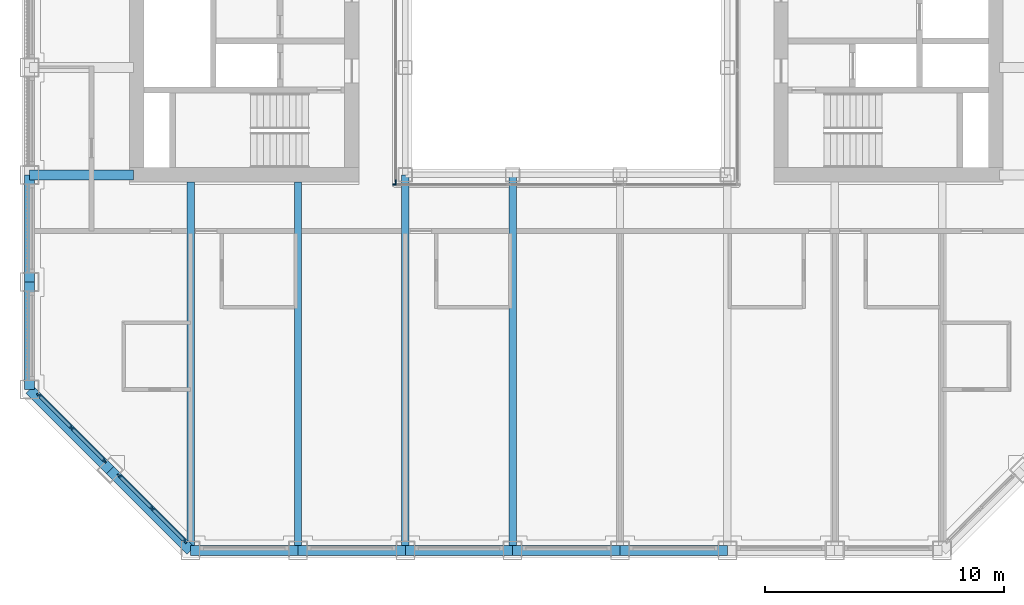
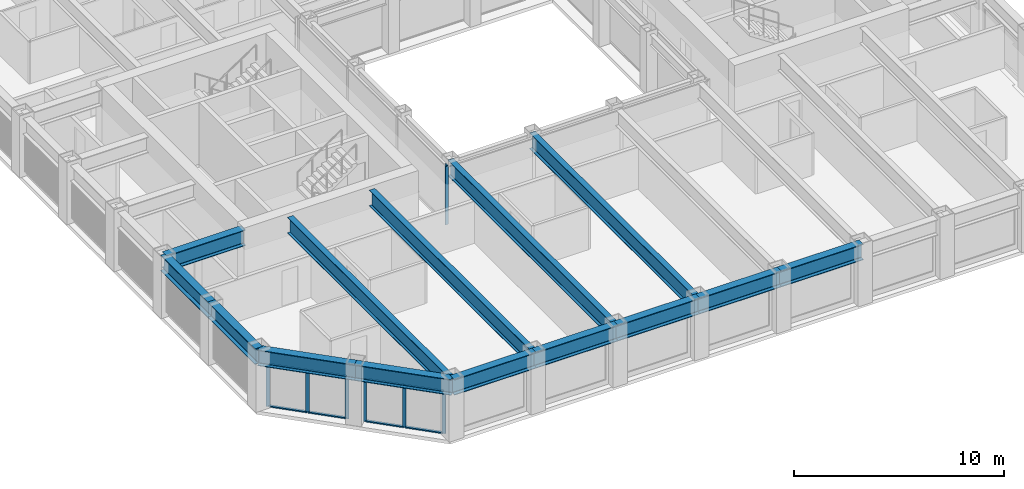
# One storey, part 2 of 17: 16 members, 14 beams, 4 elements without a shape of their own.
"""IFC4 building model written with IfcOpenShell, lengths in metres."""

from ifc_helpers import new_model, si_unit, direction, frame, origin, origin_2d, place, context, subcontext, project, spatial, rectangle, i_section, extrude, material, material_profile, profile_set, type_object, element, aggregate, save


model = new_model("IFC4")

# Units and contexts
model_context = context("Model", 3, precision=1e-05, world=origin(), true_north=direction((0.0, 1.0)))
body_context = subcontext(model_context, "Body", "Model", "MODEL_VIEW")
ifc_project = project(units=[si_unit("LENGTHUNIT", "METRE"), si_unit("AREAUNIT", "SQUARE_METRE"), si_unit("VOLUMEUNIT", "CUBIC_METRE"), si_unit("PLANEANGLEUNIT", "RADIAN"), si_unit("MASSUNIT", "GRAM", prefix="KILO")], contexts=[model_context])

# Site, building, storey
site_placement = place(None, origin())
site = spatial("IfcSite", under=ifc_project, at=site_placement, CompositionType="ELEMENT")
building_placement = place(site_placement, origin())
building = spatial("IfcBuilding", under=site, at=building_placement, Name="Msasa Ring Tower", CompositionType="ELEMENT")
storey_placement = place(building_placement, frame((0.0, 0.0, 179.60009765625)))
storey = spatial("IfcBuildingStorey", under=building, at=storey_placement, Name="L47", CompositionType="ELEMENT", Elevation=179.60009765625)

# Curtain wall, members
ifc_material_1 = material(Name="Aluminium curtain wall with clear glass", Category="aluminium")
curtain_wall_type_1 = type_object("IfcCurtainWallType", Name="CW-C CHAMFER CORNER CURTAIN WALL", PredefinedType="NOTDEFINED", material=ifc_material_1)
curtain_wall_1_placement = place(storey_placement, origin())
curtain_wall_1 = element("IfcCurtainWall", 1, at=curtain_wall_1_placement, inside=storey, type_object=curtain_wall_type_1, Name="Chamfer corner curtain wall SW L47", PredefinedType="NOTDEFINED")
ifc_material_2 = material(Name="Aluminium mullion", Category="aluminium")
ifc_material_profile_1 = material_profile(ifc_material_2, rectangle(XDim=0.06494140625, YDim=0.179931640625, at=origin_2d()), Name="AL 65x180")
ifc_profile_set_1 = profile_set([ifc_material_profile_1], Name="Aluminium mullion")
member_type_1 = type_object("IfcMemberType", Name="CW-C MULLION 65x180", PredefinedType="MULLION", material=ifc_profile_set_1)
member_1_placement = place(storey_placement, frame((-22.119873046875, -15.98876953125, 0.0), z_axis=(0.0, 0.0, 1.0), x_axis=(0.707106781187, 0.707106781187, 0.0)))
member_1 = element("IfcMember", 2, at=member_1_placement, type_object=member_type_1, Name="CW-C mullion 1", PredefinedType="MULLION", context=body_context, shape_type="SweptSolid", body=[
    extrude(rectangle(XDim=0.06494140625, YDim=0.179931640625, at=origin_2d()), origin(), (0.0, 0.0, 1.0), 2.47900390625),
])
member_2_placement = place(storey_placement, frame((-20.74169921875, -17.36669921875, 0.0), z_axis=(0.0, 0.0, 1.0), x_axis=(0.707106781187, 0.707106781187, 0.0)))
member_2 = element("IfcMember", 3, at=member_2_placement, type_object=member_type_1, Name="CW-C mullion 2", PredefinedType="MULLION", context=body_context, shape_type="SweptSolid", body=[
    extrude(rectangle(XDim=0.06494140625, YDim=0.179931640625, at=origin_2d()), origin(), (0.0, 0.0, 1.0), 2.47900390625),
])
member_3_placement = place(storey_placement, frame((-19.36376953125, -18.744873046875, 0.0), z_axis=(0.0, 0.0, 1.0), x_axis=(0.707106781187, 0.707106781187, 0.0)))
member_3 = element("IfcMember", 4, at=member_3_placement, type_object=member_type_1, Name="CW-C mullion 3", PredefinedType="MULLION", context=body_context, shape_type="SweptSolid", body=[
    extrude(rectangle(XDim=0.06494140625, YDim=0.179931640625, at=origin_2d()), origin(), (0.0, 0.0, 1.0), 2.47900390625),
])

curtain_wall_2_placement = place(storey_placement, origin())
curtain_wall_2 = element("IfcCurtainWall", 5, at=curtain_wall_2_placement, inside=storey, type_object=curtain_wall_type_1, Name="Chamfer corner curtain wall SW L47", PredefinedType="NOTDEFINED")
member_4_placement = place(storey_placement, frame((-18.744873046875, -19.36376953125, 0.0), z_axis=(0.0, 0.0, 1.0), x_axis=(0.707106781187, 0.707106781187, 0.0)))
member_4 = element("IfcMember", 6, at=member_4_placement, type_object=member_type_1, Name="CW-C mullion 1", PredefinedType="MULLION", context=body_context, shape_type="SweptSolid", body=[
    extrude(rectangle(XDim=0.06494140625, YDim=0.179931640625, at=origin_2d()), origin(), (0.0, 0.0, 1.0), 2.47900390625),
])
member_5_placement = place(storey_placement, frame((-17.36669921875, -20.74169921875, 0.0), z_axis=(0.0, 0.0, 1.0), x_axis=(0.707106781187, 0.707106781187, 0.0)))
member_5 = element("IfcMember", 7, at=member_5_placement, type_object=member_type_1, Name="CW-C mullion 2", PredefinedType="MULLION", context=body_context, shape_type="SweptSolid", body=[
    extrude(rectangle(XDim=0.06494140625, YDim=0.179931640625, at=origin_2d()), origin(), (0.0, 0.0, 1.0), 2.47900390625),
])
member_6_placement = place(storey_placement, frame((-15.98876953125, -22.119873046875, 0.0), z_axis=(0.0, 0.0, 1.0), x_axis=(0.707106781187, 0.707106781187, 0.0)))
member_6 = element("IfcMember", 8, at=member_6_placement, type_object=member_type_1, Name="CW-C mullion 3", PredefinedType="MULLION", context=body_context, shape_type="SweptSolid", body=[
    extrude(rectangle(XDim=0.06494140625, YDim=0.179931640625, at=origin_2d()), origin(), (0.0, 0.0, 1.0), 2.47900390625),
])

# Member
ifc_material_3 = material(Name="Aluminium transom", Category="aluminium")
ifc_material_profile_2 = material_profile(ifc_material_3, rectangle(XDim=0.139892578125, YDim=0.06494140625, at=origin_2d()), Name="AL 65x140")
ifc_profile_set_2 = profile_set([ifc_material_profile_2], Name="Aluminium transom")
member_type_2 = type_object("IfcMemberType", Name="CW-C TRANSOM 65x140", PredefinedType="USERDEFINED", material=ifc_profile_set_2)
member_7_placement = place(storey_placement, frame((-22.096923828125, -16.01171875, 0.032470703125), z_axis=(0.707106781187, -0.707106781187, 0.0), x_axis=(0.707106781187, 0.707106781187, 0.0)))
member_7 = element("IfcMember", 9, at=member_7_placement, type_object=member_type_2, Name="CW-C transom 1.1", ObjectType="TRANSOM", PredefinedType="USERDEFINED", context=body_context, shape_type="SweptSolid", body=[
    extrude(rectangle(XDim=0.139892578125, YDim=0.06494140625, at=origin_2d()), origin(), (0.0, 0.0, 1.0), 1.8837890625),
])

member_8_placement = place(storey_placement, frame((-22.096923828125, -16.01171875, 2.4462890625), z_axis=(0.707106781187, -0.707106781187, 0.0), x_axis=(0.707106781187, 0.707106781187, 0.0)))
member_8 = element("IfcMember", 10, at=member_8_placement, type_object=member_type_2, Name="CW-C transom 1.2", ObjectType="TRANSOM", PredefinedType="USERDEFINED", context=body_context, shape_type="SweptSolid", body=[
    extrude(rectangle(XDim=0.139892578125, YDim=0.06494140625, at=origin_2d()), origin(), (0.0, 0.0, 1.0), 1.8837890625),
])

member_9_placement = place(storey_placement, frame((-20.71875, -17.389892578125, 0.032470703125), z_axis=(0.707106781187, -0.707106781187, 0.0), x_axis=(0.707106781187, 0.707106781187, 0.0)))
member_9 = element("IfcMember", 11, at=member_9_placement, type_object=member_type_2, Name="CW-C transom 2.1", ObjectType="TRANSOM", PredefinedType="USERDEFINED", context=body_context, shape_type="SweptSolid", body=[
    extrude(rectangle(XDim=0.139892578125, YDim=0.06494140625, at=origin_2d()), origin(), (0.0, 0.0, 1.0), 1.8837890625),
])

member_10_placement = place(storey_placement, frame((-20.71875, -17.389892578125, 2.4462890625), z_axis=(0.707106781187, -0.707106781187, 0.0), x_axis=(0.707106781187, 0.707106781187, 0.0)))
member_10 = element("IfcMember", 12, at=member_10_placement, type_object=member_type_2, Name="CW-C transom 2.2", ObjectType="TRANSOM", PredefinedType="USERDEFINED", context=body_context, shape_type="SweptSolid", body=[
    extrude(rectangle(XDim=0.139892578125, YDim=0.06494140625, at=origin_2d()), origin(), (0.0, 0.0, 1.0), 1.8837890625),
])

aggregate(curtain_wall_1, [member_1, member_2, member_3, member_7, member_8, member_9, member_10])

member_11_placement = place(storey_placement, frame((-18.721923828125, -19.38671875, 0.032470703125), z_axis=(0.707106781187, -0.707106781187, 0.0), x_axis=(0.707106781187, 0.707106781187, 0.0)))
member_11 = element("IfcMember", 13, at=member_11_placement, type_object=member_type_2, Name="CW-C transom 1.1", ObjectType="TRANSOM", PredefinedType="USERDEFINED", context=body_context, shape_type="SweptSolid", body=[
    extrude(rectangle(XDim=0.139892578125, YDim=0.06494140625, at=origin_2d()), origin(), (0.0, 0.0, 1.0), 1.8837890625),
])

member_12_placement = place(storey_placement, frame((-18.721923828125, -19.38671875, 2.4462890625), z_axis=(0.707106781187, -0.707106781187, 0.0), x_axis=(0.707106781187, 0.707106781187, 0.0)))
member_12 = element("IfcMember", 14, at=member_12_placement, type_object=member_type_2, Name="CW-C transom 1.2", ObjectType="TRANSOM", PredefinedType="USERDEFINED", context=body_context, shape_type="SweptSolid", body=[
    extrude(rectangle(XDim=0.139892578125, YDim=0.06494140625, at=origin_2d()), origin(), (0.0, 0.0, 1.0), 1.8837890625),
])

member_13_placement = place(storey_placement, frame((-17.34375, -20.764892578125, 0.032470703125), z_axis=(0.707106781187, -0.707106781187, 0.0), x_axis=(0.707106781187, 0.707106781187, 0.0)))
member_13 = element("IfcMember", 15, at=member_13_placement, type_object=member_type_2, Name="CW-C transom 2.1", ObjectType="TRANSOM", PredefinedType="USERDEFINED", context=body_context, shape_type="SweptSolid", body=[
    extrude(rectangle(XDim=0.139892578125, YDim=0.06494140625, at=origin_2d()), origin(), (0.0, 0.0, 1.0), 1.8837890625),
])

member_14_placement = place(storey_placement, frame((-17.34375, -20.764892578125, 2.4462890625), z_axis=(0.707106781187, -0.707106781187, 0.0), x_axis=(0.707106781187, 0.707106781187, 0.0)))
member_14 = element("IfcMember", 16, at=member_14_placement, type_object=member_type_2, Name="CW-C transom 2.2", ObjectType="TRANSOM", PredefinedType="USERDEFINED", context=body_context, shape_type="SweptSolid", body=[
    extrude(rectangle(XDim=0.139892578125, YDim=0.06494140625, at=origin_2d()), origin(), (0.0, 0.0, 1.0), 1.8837890625),
])

aggregate(curtain_wall_2, [member_4, member_5, member_6, member_11, member_12, member_13, member_14])

# Curtain wall, member
ifc_material_4 = material(Name="Aluminium curtain wall with clear glass", Category="aluminium")
curtain_wall_type_2 = type_object("IfcCurtainWallType", Name="CW-W LIGHT WELL CURTAIN WALL", PredefinedType="NOTDEFINED", material=ifc_material_4)
curtain_wall_3_placement = place(storey_placement, origin())
curtain_wall_3 = element("IfcCurtainWall", 17, at=curtain_wall_3_placement, inside=storey, type_object=curtain_wall_type_2, Name="Light well curtain wall S L47", PredefinedType="NOTDEFINED")
ifc_material_5 = material(Name="Aluminium mullion", Category="aluminium")
ifc_material_profile_3 = material_profile(ifc_material_5, rectangle(XDim=0.06005859375, YDim=0.159912109375, at=origin_2d()), Name="AL 60x160")
ifc_profile_set_3 = profile_set([ifc_material_profile_3], Name="Aluminium mullion")
member_type_3 = type_object("IfcMemberType", Name="CW-W MULLION 60x160", PredefinedType="MULLION", material=ifc_profile_set_3)
member_15_placement = place(storey_placement, frame((-7.199951171875, -7.14990234375, 0.0), z_axis=(0.0, 0.0, 1.0), x_axis=(0.0, 1.0, 0.0)))
member_15 = element("IfcMember", 18, at=member_15_placement, type_object=member_type_3, Name="CW-W mullion 1", PredefinedType="MULLION", context=body_context, shape_type="SweptSolid", body=[
    extrude(rectangle(XDim=0.06005859375, YDim=0.159912109375, at=origin_2d()), origin(), (0.0, 0.0, 1.0), 3.39990234375),
])
aggregate(curtain_wall_3, [member_15])

curtain_wall_4_placement = place(storey_placement, origin())
curtain_wall_4 = element("IfcCurtainWall", 19, at=curtain_wall_4_placement, inside=storey, type_object=curtain_wall_type_2, Name="Light well curtain wall W L47", PredefinedType="NOTDEFINED")
member_16_placement = place(storey_placement, frame((-7.14990234375, -7.0400390625, 0.0), z_axis=(0.0, 0.0, 1.0), x_axis=(-1.0, 0.0, 0.0)))
member_16 = element("IfcMember", 20, at=member_16_placement, type_object=member_type_3, Name="CW-W mullion 1", PredefinedType="MULLION", context=body_context, shape_type="SweptSolid", body=[
    extrude(rectangle(XDim=0.06005859375, YDim=0.159912109375, at=origin_2d()), origin(), (0.0, 0.0, 1.0), 3.39990234375),
])
aggregate(curtain_wall_4, [member_16])

# Beams
ifc_material_6 = material(Name="Steel S355", Category="steel")
ifc_material_profile_4 = material_profile(ifc_material_6, i_section(OverallWidth=0.3076171875, OverallDepth=0.926513671875, WebThickness=0.01953125, FlangeThickness=0.031982421875, FilletRadius=0.01904296875, at=origin_2d()), Name="UB 914x305x289")
ifc_profile_set_4 = profile_set([ifc_material_profile_4], Name="Steel S355")
beam_type_1 = type_object("IfcBeamType", Name="FB3 UB 914x305x289", PredefinedType="BEAM", material=ifc_profile_set_4)
for number, where, z_axis, x_axis, name in (
    (21, (-15.75, -22.5, 2.9365234375), (0.0, 1.0, 0.0), (-1.0, 0.0, 0.0), "Floor beam S-15.75 under L48"),
    (22, (-11.25, -22.5, 2.9365234375), (0.0, 1.0, 0.0), (-1.0, 0.0, 0.0), "Floor beam S-11.25 under L48"),
):
    element("IfcBeam", number, at=place(storey_placement, frame(where, z_axis=z_axis, x_axis=x_axis)), inside=storey, type_object=beam_type_1, Name=name, PredefinedType="BEAM", context=body_context, shape_type="SweptSolid", body=[
        extrude(i_section(OverallWidth=0.3076171875, OverallDepth=0.926513671875, WebThickness=0.01953125, FlangeThickness=0.031982421875, FilletRadius=0.01904296875, at=origin_2d()), origin(), (0.0, 0.0, 1.0), 15.449951171875),
    ])
for number, where, z_axis, x_axis, name in (
    (23, (-6.75, -22.5, 2.9365234375), (0.0, 1.0, 0.0), (-1.0, 0.0, 0.0), "Floor beam S-6.75 under L48"),
    (24, (-2.25, -22.5, 2.9365234375), (0.0, 1.0, 0.0), (-1.0, 0.0, 0.0), "Floor beam S-2.25 under L48"),
):
    element("IfcBeam", number, at=place(storey_placement, frame(where, z_axis=z_axis, x_axis=x_axis)), inside=storey, type_object=beam_type_1, Name=name, PredefinedType="BEAM", context=body_context, shape_type="SweptSolid", body=[
        extrude(i_section(OverallWidth=0.3076171875, OverallDepth=0.926513671875, WebThickness=0.01953125, FlangeThickness=0.031982421875, FilletRadius=0.01904296875, at=origin_2d()), origin(), (0.0, 0.0, 1.0), 15.75),
    ])
ifc_material_7 = material(Name="Steel S355", Category="steel")
ifc_material_profile_5 = material_profile(ifc_material_7, i_section(OverallWidth=0.42041015625, OverallDepth=0.9208984375, WebThickness=0.021484375, FlangeThickness=0.03662109375, FilletRadius=0.024169921875, at=origin_2d()), Name="UB 914x419x388")
ifc_profile_set_5 = profile_set([ifc_material_profile_5], Name="Steel S355")
beam_type_2 = type_object("IfcBeamType", Name="GB1 UB 914x419x388", PredefinedType="BEAM", material=ifc_profile_set_5)
beam_placement = place(storey_placement, frame((-18.14990234375, -6.75, 2.939453125), z_axis=(-1.0, 0.0, 0.0), x_axis=(0.0, -1.0, 0.0)))
element("IfcBeam", 25, at=beam_placement, inside=storey, type_object=beam_type_2, Name="Girder W -6.75 under L48", PredefinedType="BEAM", context=body_context, shape_type="SweptSolid", body=[
    extrude(i_section(OverallWidth=0.42041015625, OverallDepth=0.9208984375, WebThickness=0.021484375, FlangeThickness=0.03662109375, FilletRadius=0.024169921875, at=origin_2d()), origin(), (0.0, 0.0, 1.0), 4.35009765625),
])
ifc_material_8 = material(Name="Steel S355", Category="steel")
ifc_material_profile_6 = material_profile(ifc_material_8, i_section(OverallWidth=0.42041015625, OverallDepth=0.9208984375, WebThickness=0.021484375, FlangeThickness=0.03662109375, FilletRadius=0.024169921875, at=origin_2d()), Name="UB 914x419x388")
ifc_profile_set_6 = profile_set([ifc_material_profile_6], Name="Steel S355")
beam_type_3 = type_object("IfcBeamType", Name="SB1 UB 914x419x388", PredefinedType="SPANDREL", material=ifc_profile_set_6)
for number, where, z_axis, x_axis, name in (
    (26, (-22.5, -6.75, 2.939453125), (0.0, -1.0, 0.0), (1.0, 0.0, 0.0), "Spandrel W-6.75 to W-11.25 under L48"),
    (27, (-22.5, -11.25, 2.939453125), (0.0, -1.0, 0.0), (1.0, 0.0, 0.0), "Spandrel W-11.25 to W-15.75 under L48"),
):
    element("IfcBeam", number, at=place(storey_placement, frame(where, z_axis=z_axis, x_axis=x_axis)), inside=storey, type_object=beam_type_3, Name=name, PredefinedType="SPANDREL", context=body_context, shape_type="SweptSolid", body=[
        extrude(i_section(OverallWidth=0.42041015625, OverallDepth=0.9208984375, WebThickness=0.021484375, FlangeThickness=0.03662109375, FilletRadius=0.024169921875, at=origin_2d()), origin(), (0.0, 0.0, 1.0), 4.5),
    ])
for number, where, z_axis, x_axis, name in (
    (28, (-22.5, -15.75, 2.939453125), (0.707106781187, -0.707106781187, 0.0), (0.707106781187, 0.707106781187, 0.0), "Spandrel W-15.75 to SW under L48"),
    (29, (-19.125, -19.125, 2.939453125), (0.707106781187, -0.707106781187, 0.0), (0.707106781187, 0.707106781187, 0.0), "Spandrel SW to S-15.75 under L48"),
):
    element("IfcBeam", number, at=place(storey_placement, frame(where, z_axis=z_axis, x_axis=x_axis)), inside=storey, type_object=beam_type_3, Name=name, PredefinedType="SPANDREL", context=body_context, shape_type="SweptSolid", body=[
        extrude(i_section(OverallWidth=0.42041015625, OverallDepth=0.9208984375, WebThickness=0.021484375, FlangeThickness=0.03662109375, FilletRadius=0.024169921875, at=origin_2d()), origin(), (0.0, 0.0, 1.0), 4.77294921875),
    ])
for number, where, z_axis, x_axis, name in (
    (30, (-15.75, -22.5, 2.939453125), (1.0, 0.0, 0.0), (0.0, 1.0, 0.0), "Spandrel S-15.75 to S-11.25 under L48"),
    (31, (-11.25, -22.5, 2.939453125), (1.0, 0.0, 0.0), (0.0, 1.0, 0.0), "Spandrel S-11.25 to S-6.75 under L48"),
    (32, (-6.75, -22.5, 2.939453125), (1.0, 0.0, 0.0), (0.0, 1.0, 0.0), "Spandrel S-6.75 to S-2.25 under L48"),
    (33, (-2.25, -22.5, 2.939453125), (1.0, 0.0, 0.0), (0.0, 1.0, 0.0), "Spandrel S-2.25 to S+2.25 under L48"),
    (34, (2.25, -22.5, 2.939453125), (1.0, 0.0, 0.0), (0.0, 1.0, 0.0), "Spandrel S+2.25 to S+6.75 under L48"),
):
    element("IfcBeam", number, at=place(storey_placement, frame(where, z_axis=z_axis, x_axis=x_axis)), inside=storey, type_object=beam_type_3, Name=name, PredefinedType="SPANDREL", context=body_context, shape_type="SweptSolid", body=[
        extrude(i_section(OverallWidth=0.42041015625, OverallDepth=0.9208984375, WebThickness=0.021484375, FlangeThickness=0.03662109375, FilletRadius=0.024169921875, at=origin_2d()), origin(), (0.0, 0.0, 1.0), 4.5),
    ])

save(model, "model.ifc")
